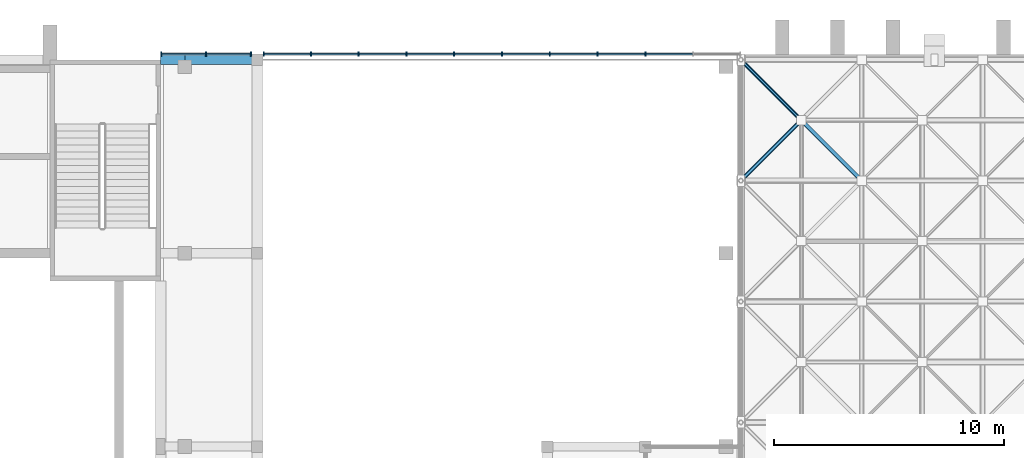
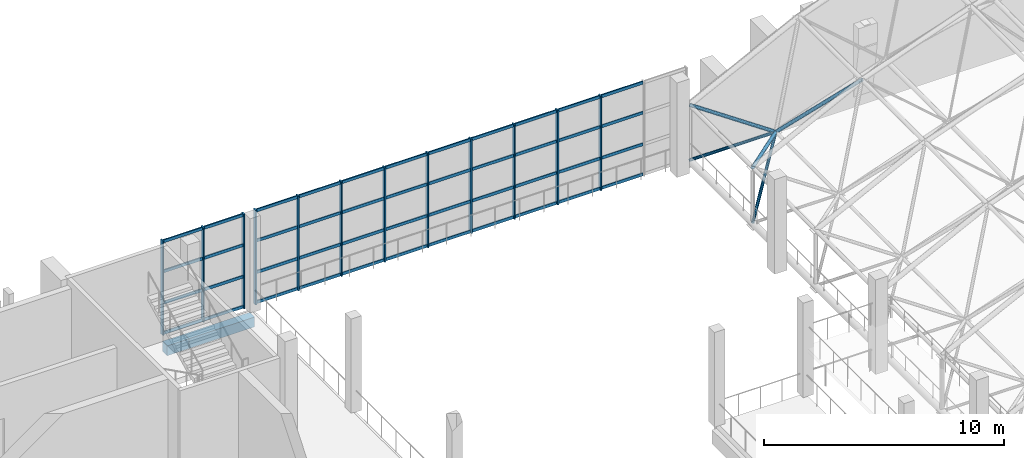
# One storey, part 27 of 100: 61 members, 2 beams, 2 elements without a shape of their own.
"""IFC4 building model written with IfcOpenShell, lengths in metres."""

from ifc_helpers import new_model, si_unit, direction, frame, origin, origin_2d, place, context, subcontext, project, spatial, rectangle, hollow_circle, extrude, material, layer, layer_set, material_profile, profile_set, type_object, element, aggregate, save


model = new_model("IFC4")

# Units and contexts
model_context = context("Model", 3, precision=1e-05, world=origin(), true_north=direction((0.0, 1.0)))
body_context = subcontext(model_context, "Body", "Model", "MODEL_VIEW")
ifc_project = project(units=[si_unit("LENGTHUNIT", "METRE"), si_unit("AREAUNIT", "SQUARE_METRE"), si_unit("VOLUMEUNIT", "CUBIC_METRE"), si_unit("PLANEANGLEUNIT", "RADIAN"), si_unit("MASSUNIT", "GRAM", prefix="KILO")], contexts=[model_context])

# Site, building, storey
site_placement = place(None, origin())
site = spatial("IfcSite", under=ifc_project, at=site_placement, CompositionType="ELEMENT")
building_placement = place(site_placement, origin())
building = spatial("IfcBuilding", under=site, at=building_placement, Name="Kiln Court Media Centre", CompositionType="ELEMENT")
storey_placement = place(building_placement, frame((0.0, 0.0, 15.0)))
storey = spatial("IfcBuildingStorey", under=building, at=storey_placement, Name="L03", CompositionType="ELEMENT", Elevation=15.0)

# Curtain wall, members
ifc_material_1 = material(Name="Aluminium 6063-T6", Category="aluminium")
ifc_layer = layer(ifc_material_1, 0.1201171875)
ifc_layer_set = layer_set([ifc_layer], Name="Aluminium stick curtain wall, foyer")
curtain_wall_type = type_object("IfcCurtainWallType", Name="Aluminium stick curtain wall, foyer", PredefinedType="USERDEFINED", material=ifc_layer_set)
curtain_wall_1_placement = place(storey_placement, origin())
curtain_wall_1 = element("IfcCurtainWall", 1, at=curtain_wall_1_placement, inside=storey, type_object=curtain_wall_type, Name="Foyer north glazing L03", ObjectType="STICK CURTAIN WALL", PredefinedType="USERDEFINED")
ifc_material_2 = material(Name="Aluminium 6063-T6", Category="aluminium")
ifc_material_profile_1 = material_profile(ifc_material_2, rectangle(XDim=0.06005859375, YDim=0.199951171875, at=origin_2d()), Name="Aluminium hall mullion 60x200")
ifc_profile_set_1 = profile_set([ifc_material_profile_1], Name="Aluminium 6063-T6")
member_type_1 = type_object("IfcMemberType", Name="Aluminium hall mullion 60x200", PredefinedType="MULLION", material=ifc_profile_set_1)
member_1_placement = place(storey_placement, frame((33.6298828125, 67.444580078125, 0.0), z_axis=(0.0, 0.0, 1.0), x_axis=(1.0, 0.0, 0.0)))
member_1 = element("IfcMember", 2, at=member_1_placement, type_object=member_type_1, Name="CW3-60 mullion 1", PredefinedType="MULLION", context=body_context, shape_type="SweptSolid", body=[
    extrude(rectangle(XDim=0.06005859375, YDim=0.199951171875, at=origin_2d()), origin(), (0.0, 0.0, 1.0), 4.800048828125),
])
member_2_placement = place(storey_placement, frame((35.574951171875, 67.444580078125, 0.0), z_axis=(0.0, 0.0, 1.0), x_axis=(1.0, 0.0, 0.0)))
member_2 = element("IfcMember", 3, at=member_2_placement, type_object=member_type_1, Name="CW3-60 mullion 2", PredefinedType="MULLION", context=body_context, shape_type="SweptSolid", body=[
    extrude(rectangle(XDim=0.06005859375, YDim=0.199951171875, at=origin_2d()), origin(), (0.0, 0.0, 1.0), 4.800048828125),
])
member_3_placement = place(storey_placement, frame((37.52001953125, 67.444580078125, 0.0), z_axis=(0.0, 0.0, 1.0), x_axis=(1.0, 0.0, 0.0)))
member_3 = element("IfcMember", 4, at=member_3_placement, type_object=member_type_1, Name="CW3-60 mullion 3", PredefinedType="MULLION", context=body_context, shape_type="SweptSolid", body=[
    extrude(rectangle(XDim=0.06005859375, YDim=0.199951171875, at=origin_2d()), origin(), (0.0, 0.0, 1.0), 4.800048828125),
])

curtain_wall_2_placement = place(storey_placement, origin())
curtain_wall_2 = element("IfcCurtainWall", 5, at=curtain_wall_2_placement, inside=storey, type_object=curtain_wall_type, Name="Foyer north glazing L03", ObjectType="STICK CURTAIN WALL", PredefinedType="USERDEFINED")
member_4_placement = place(storey_placement, frame((38.080078125, 67.444580078125, 0.0), z_axis=(0.0, 0.0, 1.0), x_axis=(1.0, 0.0, 0.0)))
member_4 = element("IfcMember", 6, at=member_4_placement, type_object=member_type_1, Name="CW3-61 mullion 1", PredefinedType="MULLION", context=body_context, shape_type="SweptSolid", body=[
    extrude(rectangle(XDim=0.06005859375, YDim=0.199951171875, at=origin_2d()), origin(), (0.0, 0.0, 1.0), 4.800048828125),
])
member_5_placement = place(storey_placement, frame((40.125, 67.444580078125, 0.0), z_axis=(0.0, 0.0, 1.0), x_axis=(1.0, 0.0, 0.0)))
member_5 = element("IfcMember", 7, at=member_5_placement, type_object=member_type_1, Name="CW3-61 mullion 2", PredefinedType="MULLION", context=body_context, shape_type="SweptSolid", body=[
    extrude(rectangle(XDim=0.06005859375, YDim=0.199951171875, at=origin_2d()), origin(), (0.0, 0.0, 1.0), 4.800048828125),
])
member_6_placement = place(storey_placement, frame((42.199951171875, 67.444580078125, 0.0), z_axis=(0.0, 0.0, 1.0), x_axis=(1.0, 0.0, 0.0)))
member_6 = element("IfcMember", 8, at=member_6_placement, type_object=member_type_1, Name="CW3-61 mullion 3", PredefinedType="MULLION", context=body_context, shape_type="SweptSolid", body=[
    extrude(rectangle(XDim=0.06005859375, YDim=0.199951171875, at=origin_2d()), origin(), (0.0, 0.0, 1.0), 4.800048828125),
])
member_7_placement = place(storey_placement, frame((44.27490234375, 67.444580078125, 0.0), z_axis=(0.0, 0.0, 1.0), x_axis=(1.0, 0.0, 0.0)))
member_7 = element("IfcMember", 9, at=member_7_placement, type_object=member_type_1, Name="CW3-61 mullion 4", PredefinedType="MULLION", context=body_context, shape_type="SweptSolid", body=[
    extrude(rectangle(XDim=0.06005859375, YDim=0.199951171875, at=origin_2d()), origin(), (0.0, 0.0, 1.0), 4.800048828125),
])
member_8_placement = place(storey_placement, frame((46.35009765625, 67.444580078125, 0.0), z_axis=(0.0, 0.0, 1.0), x_axis=(1.0, 0.0, 0.0)))
member_8 = element("IfcMember", 10, at=member_8_placement, type_object=member_type_1, Name="CW3-61 mullion 5", PredefinedType="MULLION", context=body_context, shape_type="SweptSolid", body=[
    extrude(rectangle(XDim=0.06005859375, YDim=0.199951171875, at=origin_2d()), origin(), (0.0, 0.0, 1.0), 4.800048828125),
])
member_9_placement = place(storey_placement, frame((48.425048828125, 67.444580078125, 0.0), z_axis=(0.0, 0.0, 1.0), x_axis=(1.0, 0.0, 0.0)))
member_9 = element("IfcMember", 11, at=member_9_placement, type_object=member_type_1, Name="CW3-61 mullion 6", PredefinedType="MULLION", context=body_context, shape_type="SweptSolid", body=[
    extrude(rectangle(XDim=0.06005859375, YDim=0.199951171875, at=origin_2d()), origin(), (0.0, 0.0, 1.0), 4.800048828125),
])
member_10_placement = place(storey_placement, frame((50.5, 67.444580078125, 0.0), z_axis=(0.0, 0.0, 1.0), x_axis=(1.0, 0.0, 0.0)))
member_10 = element("IfcMember", 12, at=member_10_placement, type_object=member_type_1, Name="CW3-61 mullion 7", PredefinedType="MULLION", context=body_context, shape_type="SweptSolid", body=[
    extrude(rectangle(XDim=0.06005859375, YDim=0.199951171875, at=origin_2d()), origin(), (0.0, 0.0, 1.0), 4.800048828125),
])
member_11_placement = place(storey_placement, frame((52.574951171875, 67.444580078125, 0.0), z_axis=(0.0, 0.0, 1.0), x_axis=(1.0, 0.0, 0.0)))
member_11 = element("IfcMember", 13, at=member_11_placement, type_object=member_type_1, Name="CW3-61 mullion 8", PredefinedType="MULLION", context=body_context, shape_type="SweptSolid", body=[
    extrude(rectangle(XDim=0.06005859375, YDim=0.199951171875, at=origin_2d()), origin(), (0.0, 0.0, 1.0), 4.800048828125),
])
member_12_placement = place(storey_placement, frame((54.64990234375, 67.444580078125, 0.0), z_axis=(0.0, 0.0, 1.0), x_axis=(1.0, 0.0, 0.0)))
member_12 = element("IfcMember", 14, at=member_12_placement, type_object=member_type_1, Name="CW3-61 mullion 9", PredefinedType="MULLION", context=body_context, shape_type="SweptSolid", body=[
    extrude(rectangle(XDim=0.06005859375, YDim=0.199951171875, at=origin_2d()), origin(), (0.0, 0.0, 1.0), 4.800048828125),
])

# Member
ifc_material_3 = material(Name="Aluminium 6063-T6", Category="aluminium")
ifc_material_profile_2 = material_profile(ifc_material_3, rectangle(XDim=0.06005859375, YDim=0.14990234375, at=origin_2d()), Name="Aluminium hall transom 60x150")
ifc_profile_set_2 = profile_set([ifc_material_profile_2], Name="Aluminium 6063-T6")
member_type_2 = type_object("IfcMemberType", Name="Aluminium hall transom 60x150", PredefinedType="USERDEFINED", material=ifc_profile_set_2)
member_13_placement = place(storey_placement, frame((33.659912109375, 67.444580078125, 0.074951171875), z_axis=(1.0, 0.0, 0.0), x_axis=(0.0, 1.0, 0.0)))
member_13 = element("IfcMember", 15, at=member_13_placement, type_object=member_type_2, Name="CW3-60 transom 1.1", ObjectType="TRANSOM", PredefinedType="USERDEFINED", context=body_context, shape_type="SweptSolid", body=[
    extrude(rectangle(XDim=0.06005859375, YDim=0.14990234375, at=origin_2d()), origin(), (0.0, 0.0, 1.0), 1.885009765625),
])

member_14_placement = place(storey_placement, frame((33.659912109375, 67.444580078125, 1.60009765625), z_axis=(1.0, 0.0, 0.0), x_axis=(0.0, 1.0, 0.0)))
member_14 = element("IfcMember", 16, at=member_14_placement, type_object=member_type_2, Name="CW3-60 transom 1.2", ObjectType="TRANSOM", PredefinedType="USERDEFINED", context=body_context, shape_type="SweptSolid", body=[
    extrude(rectangle(XDim=0.06005859375, YDim=0.14990234375, at=origin_2d()), origin(), (0.0, 0.0, 1.0), 1.885009765625),
])

member_15_placement = place(storey_placement, frame((33.659912109375, 67.444580078125, 3.199951171875), z_axis=(1.0, 0.0, 0.0), x_axis=(0.0, 1.0, 0.0)))
member_15 = element("IfcMember", 17, at=member_15_placement, type_object=member_type_2, Name="CW3-60 transom 1.3", ObjectType="TRANSOM", PredefinedType="USERDEFINED", context=body_context, shape_type="SweptSolid", body=[
    extrude(rectangle(XDim=0.06005859375, YDim=0.14990234375, at=origin_2d()), origin(), (0.0, 0.0, 1.0), 1.885009765625),
])

member_16_placement = place(storey_placement, frame((33.659912109375, 67.444580078125, 4.72509765625), z_axis=(1.0, 0.0, 0.0), x_axis=(0.0, 1.0, 0.0)))
member_16 = element("IfcMember", 18, at=member_16_placement, type_object=member_type_2, Name="CW3-60 transom 1.4", ObjectType="TRANSOM", PredefinedType="USERDEFINED", context=body_context, shape_type="SweptSolid", body=[
    extrude(rectangle(XDim=0.06005859375, YDim=0.14990234375, at=origin_2d()), origin(), (0.0, 0.0, 1.0), 1.885009765625),
])

member_17_placement = place(storey_placement, frame((35.60498046875, 67.444580078125, 0.074951171875), z_axis=(1.0, 0.0, 0.0), x_axis=(0.0, 1.0, 0.0)))
member_17 = element("IfcMember", 19, at=member_17_placement, type_object=member_type_2, Name="CW3-60 transom 2.1", ObjectType="TRANSOM", PredefinedType="USERDEFINED", context=body_context, shape_type="SweptSolid", body=[
    extrude(rectangle(XDim=0.06005859375, YDim=0.14990234375, at=origin_2d()), origin(), (0.0, 0.0, 1.0), 1.885009765625),
])

member_18_placement = place(storey_placement, frame((35.60498046875, 67.444580078125, 1.60009765625), z_axis=(1.0, 0.0, 0.0), x_axis=(0.0, 1.0, 0.0)))
member_18 = element("IfcMember", 20, at=member_18_placement, type_object=member_type_2, Name="CW3-60 transom 2.2", ObjectType="TRANSOM", PredefinedType="USERDEFINED", context=body_context, shape_type="SweptSolid", body=[
    extrude(rectangle(XDim=0.06005859375, YDim=0.14990234375, at=origin_2d()), origin(), (0.0, 0.0, 1.0), 1.885009765625),
])

member_19_placement = place(storey_placement, frame((35.60498046875, 67.444580078125, 3.199951171875), z_axis=(1.0, 0.0, 0.0), x_axis=(0.0, 1.0, 0.0)))
member_19 = element("IfcMember", 21, at=member_19_placement, type_object=member_type_2, Name="CW3-60 transom 2.3", ObjectType="TRANSOM", PredefinedType="USERDEFINED", context=body_context, shape_type="SweptSolid", body=[
    extrude(rectangle(XDim=0.06005859375, YDim=0.14990234375, at=origin_2d()), origin(), (0.0, 0.0, 1.0), 1.885009765625),
])

member_20_placement = place(storey_placement, frame((35.60498046875, 67.444580078125, 4.72509765625), z_axis=(1.0, 0.0, 0.0), x_axis=(0.0, 1.0, 0.0)))
member_20 = element("IfcMember", 22, at=member_20_placement, type_object=member_type_2, Name="CW3-60 transom 2.4", ObjectType="TRANSOM", PredefinedType="USERDEFINED", context=body_context, shape_type="SweptSolid", body=[
    extrude(rectangle(XDim=0.06005859375, YDim=0.14990234375, at=origin_2d()), origin(), (0.0, 0.0, 1.0), 1.885009765625),
])

aggregate(curtain_wall_1, [member_1, member_2, member_3, member_13, member_14, member_15, member_16, member_17, member_18, member_19, member_20])

member_21_placement = place(storey_placement, frame((38.110107421875, 67.444580078125, 0.074951171875), z_axis=(1.0, 0.0, 0.0), x_axis=(0.0, 1.0, 0.0)))
member_21 = element("IfcMember", 23, at=member_21_placement, type_object=member_type_2, Name="CW3-61 transom 1.1", ObjectType="TRANSOM", PredefinedType="USERDEFINED", context=body_context, shape_type="SweptSolid", body=[
    extrude(rectangle(XDim=0.06005859375, YDim=0.14990234375, at=origin_2d()), origin(), (0.0, 0.0, 1.0), 1.98486328125),
])

member_22_placement = place(storey_placement, frame((38.110107421875, 67.444580078125, 1.60009765625), z_axis=(1.0, 0.0, 0.0), x_axis=(0.0, 1.0, 0.0)))
member_22 = element("IfcMember", 24, at=member_22_placement, type_object=member_type_2, Name="CW3-61 transom 1.2", ObjectType="TRANSOM", PredefinedType="USERDEFINED", context=body_context, shape_type="SweptSolid", body=[
    extrude(rectangle(XDim=0.06005859375, YDim=0.14990234375, at=origin_2d()), origin(), (0.0, 0.0, 1.0), 1.98486328125),
])

member_23_placement = place(storey_placement, frame((38.110107421875, 67.444580078125, 3.199951171875), z_axis=(1.0, 0.0, 0.0), x_axis=(0.0, 1.0, 0.0)))
member_23 = element("IfcMember", 25, at=member_23_placement, type_object=member_type_2, Name="CW3-61 transom 1.3", ObjectType="TRANSOM", PredefinedType="USERDEFINED", context=body_context, shape_type="SweptSolid", body=[
    extrude(rectangle(XDim=0.06005859375, YDim=0.14990234375, at=origin_2d()), origin(), (0.0, 0.0, 1.0), 1.98486328125),
])

member_24_placement = place(storey_placement, frame((38.110107421875, 67.444580078125, 4.72509765625), z_axis=(1.0, 0.0, 0.0), x_axis=(0.0, 1.0, 0.0)))
member_24 = element("IfcMember", 26, at=member_24_placement, type_object=member_type_2, Name="CW3-61 transom 1.4", ObjectType="TRANSOM", PredefinedType="USERDEFINED", context=body_context, shape_type="SweptSolid", body=[
    extrude(rectangle(XDim=0.06005859375, YDim=0.14990234375, at=origin_2d()), origin(), (0.0, 0.0, 1.0), 1.98486328125),
])

member_25_placement = place(storey_placement, frame((40.155029296875, 67.444580078125, 0.074951171875), z_axis=(1.0, 0.0, 0.0), x_axis=(0.0, 1.0, 0.0)))
member_25 = element("IfcMember", 27, at=member_25_placement, type_object=member_type_2, Name="CW3-61 transom 2.1", ObjectType="TRANSOM", PredefinedType="USERDEFINED", context=body_context, shape_type="SweptSolid", body=[
    extrude(rectangle(XDim=0.06005859375, YDim=0.14990234375, at=origin_2d()), origin(), (0.0, 0.0, 1.0), 2.014892578125),
])

member_26_placement = place(storey_placement, frame((40.155029296875, 67.444580078125, 1.60009765625), z_axis=(1.0, 0.0, 0.0), x_axis=(0.0, 1.0, 0.0)))
member_26 = element("IfcMember", 28, at=member_26_placement, type_object=member_type_2, Name="CW3-61 transom 2.2", ObjectType="TRANSOM", PredefinedType="USERDEFINED", context=body_context, shape_type="SweptSolid", body=[
    extrude(rectangle(XDim=0.06005859375, YDim=0.14990234375, at=origin_2d()), origin(), (0.0, 0.0, 1.0), 2.014892578125),
])

member_27_placement = place(storey_placement, frame((40.155029296875, 67.444580078125, 3.199951171875), z_axis=(1.0, 0.0, 0.0), x_axis=(0.0, 1.0, 0.0)))
member_27 = element("IfcMember", 29, at=member_27_placement, type_object=member_type_2, Name="CW3-61 transom 2.3", ObjectType="TRANSOM", PredefinedType="USERDEFINED", context=body_context, shape_type="SweptSolid", body=[
    extrude(rectangle(XDim=0.06005859375, YDim=0.14990234375, at=origin_2d()), origin(), (0.0, 0.0, 1.0), 2.014892578125),
])

member_28_placement = place(storey_placement, frame((40.155029296875, 67.444580078125, 4.72509765625), z_axis=(1.0, 0.0, 0.0), x_axis=(0.0, 1.0, 0.0)))
member_28 = element("IfcMember", 30, at=member_28_placement, type_object=member_type_2, Name="CW3-61 transom 2.4", ObjectType="TRANSOM", PredefinedType="USERDEFINED", context=body_context, shape_type="SweptSolid", body=[
    extrude(rectangle(XDim=0.06005859375, YDim=0.14990234375, at=origin_2d()), origin(), (0.0, 0.0, 1.0), 2.014892578125),
])

member_29_placement = place(storey_placement, frame((42.22998046875, 67.444580078125, 0.074951171875), z_axis=(1.0, 0.0, 0.0), x_axis=(0.0, 1.0, 0.0)))
member_29 = element("IfcMember", 31, at=member_29_placement, type_object=member_type_2, Name="CW3-61 transom 3.1", ObjectType="TRANSOM", PredefinedType="USERDEFINED", context=body_context, shape_type="SweptSolid", body=[
    extrude(rectangle(XDim=0.06005859375, YDim=0.14990234375, at=origin_2d()), origin(), (0.0, 0.0, 1.0), 2.01513671875),
])

member_30_placement = place(storey_placement, frame((42.22998046875, 67.444580078125, 1.60009765625), z_axis=(1.0, 0.0, 0.0), x_axis=(0.0, 1.0, 0.0)))
member_30 = element("IfcMember", 32, at=member_30_placement, type_object=member_type_2, Name="CW3-61 transom 3.2", ObjectType="TRANSOM", PredefinedType="USERDEFINED", context=body_context, shape_type="SweptSolid", body=[
    extrude(rectangle(XDim=0.06005859375, YDim=0.14990234375, at=origin_2d()), origin(), (0.0, 0.0, 1.0), 2.01513671875),
])

member_31_placement = place(storey_placement, frame((42.22998046875, 67.444580078125, 3.199951171875), z_axis=(1.0, 0.0, 0.0), x_axis=(0.0, 1.0, 0.0)))
member_31 = element("IfcMember", 33, at=member_31_placement, type_object=member_type_2, Name="CW3-61 transom 3.3", ObjectType="TRANSOM", PredefinedType="USERDEFINED", context=body_context, shape_type="SweptSolid", body=[
    extrude(rectangle(XDim=0.06005859375, YDim=0.14990234375, at=origin_2d()), origin(), (0.0, 0.0, 1.0), 2.01513671875),
])

member_32_placement = place(storey_placement, frame((42.22998046875, 67.444580078125, 4.72509765625), z_axis=(1.0, 0.0, 0.0), x_axis=(0.0, 1.0, 0.0)))
member_32 = element("IfcMember", 34, at=member_32_placement, type_object=member_type_2, Name="CW3-61 transom 3.4", ObjectType="TRANSOM", PredefinedType="USERDEFINED", context=body_context, shape_type="SweptSolid", body=[
    extrude(rectangle(XDim=0.06005859375, YDim=0.14990234375, at=origin_2d()), origin(), (0.0, 0.0, 1.0), 2.01513671875),
])

member_33_placement = place(storey_placement, frame((44.304931640625, 67.444580078125, 0.074951171875), z_axis=(1.0, 0.0, 0.0), x_axis=(0.0, 1.0, 0.0)))
member_33 = element("IfcMember", 35, at=member_33_placement, type_object=member_type_2, Name="CW3-61 transom 4.1", ObjectType="TRANSOM", PredefinedType="USERDEFINED", context=body_context, shape_type="SweptSolid", body=[
    extrude(rectangle(XDim=0.06005859375, YDim=0.14990234375, at=origin_2d()), origin(), (0.0, 0.0, 1.0), 2.01513671875),
])

member_34_placement = place(storey_placement, frame((44.304931640625, 67.444580078125, 1.60009765625), z_axis=(1.0, 0.0, 0.0), x_axis=(0.0, 1.0, 0.0)))
member_34 = element("IfcMember", 36, at=member_34_placement, type_object=member_type_2, Name="CW3-61 transom 4.2", ObjectType="TRANSOM", PredefinedType="USERDEFINED", context=body_context, shape_type="SweptSolid", body=[
    extrude(rectangle(XDim=0.06005859375, YDim=0.14990234375, at=origin_2d()), origin(), (0.0, 0.0, 1.0), 2.01513671875),
])

member_35_placement = place(storey_placement, frame((44.304931640625, 67.444580078125, 3.199951171875), z_axis=(1.0, 0.0, 0.0), x_axis=(0.0, 1.0, 0.0)))
member_35 = element("IfcMember", 37, at=member_35_placement, type_object=member_type_2, Name="CW3-61 transom 4.3", ObjectType="TRANSOM", PredefinedType="USERDEFINED", context=body_context, shape_type="SweptSolid", body=[
    extrude(rectangle(XDim=0.06005859375, YDim=0.14990234375, at=origin_2d()), origin(), (0.0, 0.0, 1.0), 2.01513671875),
])

member_36_placement = place(storey_placement, frame((44.304931640625, 67.444580078125, 4.72509765625), z_axis=(1.0, 0.0, 0.0), x_axis=(0.0, 1.0, 0.0)))
member_36 = element("IfcMember", 38, at=member_36_placement, type_object=member_type_2, Name="CW3-61 transom 4.4", ObjectType="TRANSOM", PredefinedType="USERDEFINED", context=body_context, shape_type="SweptSolid", body=[
    extrude(rectangle(XDim=0.06005859375, YDim=0.14990234375, at=origin_2d()), origin(), (0.0, 0.0, 1.0), 2.01513671875),
])

member_37_placement = place(storey_placement, frame((46.3798828125, 67.444580078125, 0.074951171875), z_axis=(1.0, 0.0, 0.0), x_axis=(0.0, 1.0, 0.0)))
member_37 = element("IfcMember", 39, at=member_37_placement, type_object=member_type_2, Name="CW3-61 transom 5.1", ObjectType="TRANSOM", PredefinedType="USERDEFINED", context=body_context, shape_type="SweptSolid", body=[
    extrude(rectangle(XDim=0.06005859375, YDim=0.14990234375, at=origin_2d()), origin(), (0.0, 0.0, 1.0), 2.01513671875),
])

member_38_placement = place(storey_placement, frame((46.3798828125, 67.444580078125, 1.60009765625), z_axis=(1.0, 0.0, 0.0), x_axis=(0.0, 1.0, 0.0)))
member_38 = element("IfcMember", 40, at=member_38_placement, type_object=member_type_2, Name="CW3-61 transom 5.2", ObjectType="TRANSOM", PredefinedType="USERDEFINED", context=body_context, shape_type="SweptSolid", body=[
    extrude(rectangle(XDim=0.06005859375, YDim=0.14990234375, at=origin_2d()), origin(), (0.0, 0.0, 1.0), 2.01513671875),
])

member_39_placement = place(storey_placement, frame((46.3798828125, 67.444580078125, 3.199951171875), z_axis=(1.0, 0.0, 0.0), x_axis=(0.0, 1.0, 0.0)))
member_39 = element("IfcMember", 41, at=member_39_placement, type_object=member_type_2, Name="CW3-61 transom 5.3", ObjectType="TRANSOM", PredefinedType="USERDEFINED", context=body_context, shape_type="SweptSolid", body=[
    extrude(rectangle(XDim=0.06005859375, YDim=0.14990234375, at=origin_2d()), origin(), (0.0, 0.0, 1.0), 2.01513671875),
])

member_40_placement = place(storey_placement, frame((46.3798828125, 67.444580078125, 4.72509765625), z_axis=(1.0, 0.0, 0.0), x_axis=(0.0, 1.0, 0.0)))
member_40 = element("IfcMember", 42, at=member_40_placement, type_object=member_type_2, Name="CW3-61 transom 5.4", ObjectType="TRANSOM", PredefinedType="USERDEFINED", context=body_context, shape_type="SweptSolid", body=[
    extrude(rectangle(XDim=0.06005859375, YDim=0.14990234375, at=origin_2d()), origin(), (0.0, 0.0, 1.0), 2.01513671875),
])

member_41_placement = place(storey_placement, frame((48.455078125, 67.444580078125, 0.074951171875), z_axis=(1.0, 0.0, 0.0), x_axis=(0.0, 1.0, 0.0)))
member_41 = element("IfcMember", 43, at=member_41_placement, type_object=member_type_2, Name="CW3-61 transom 6.1", ObjectType="TRANSOM", PredefinedType="USERDEFINED", context=body_context, shape_type="SweptSolid", body=[
    extrude(rectangle(XDim=0.06005859375, YDim=0.14990234375, at=origin_2d()), origin(), (0.0, 0.0, 1.0), 2.014892578125),
])

member_42_placement = place(storey_placement, frame((48.455078125, 67.444580078125, 1.60009765625), z_axis=(1.0, 0.0, 0.0), x_axis=(0.0, 1.0, 0.0)))
member_42 = element("IfcMember", 44, at=member_42_placement, type_object=member_type_2, Name="CW3-61 transom 6.2", ObjectType="TRANSOM", PredefinedType="USERDEFINED", context=body_context, shape_type="SweptSolid", body=[
    extrude(rectangle(XDim=0.06005859375, YDim=0.14990234375, at=origin_2d()), origin(), (0.0, 0.0, 1.0), 2.014892578125),
])

member_43_placement = place(storey_placement, frame((48.455078125, 67.444580078125, 3.199951171875), z_axis=(1.0, 0.0, 0.0), x_axis=(0.0, 1.0, 0.0)))
member_43 = element("IfcMember", 45, at=member_43_placement, type_object=member_type_2, Name="CW3-61 transom 6.3", ObjectType="TRANSOM", PredefinedType="USERDEFINED", context=body_context, shape_type="SweptSolid", body=[
    extrude(rectangle(XDim=0.06005859375, YDim=0.14990234375, at=origin_2d()), origin(), (0.0, 0.0, 1.0), 2.014892578125),
])

member_44_placement = place(storey_placement, frame((48.455078125, 67.444580078125, 4.72509765625), z_axis=(1.0, 0.0, 0.0), x_axis=(0.0, 1.0, 0.0)))
member_44 = element("IfcMember", 46, at=member_44_placement, type_object=member_type_2, Name="CW3-61 transom 6.4", ObjectType="TRANSOM", PredefinedType="USERDEFINED", context=body_context, shape_type="SweptSolid", body=[
    extrude(rectangle(XDim=0.06005859375, YDim=0.14990234375, at=origin_2d()), origin(), (0.0, 0.0, 1.0), 2.014892578125),
])

member_45_placement = place(storey_placement, frame((50.530029296875, 67.444580078125, 0.074951171875), z_axis=(1.0, 0.0, 0.0), x_axis=(0.0, 1.0, 0.0)))
member_45 = element("IfcMember", 47, at=member_45_placement, type_object=member_type_2, Name="CW3-61 transom 7.1", ObjectType="TRANSOM", PredefinedType="USERDEFINED", context=body_context, shape_type="SweptSolid", body=[
    extrude(rectangle(XDim=0.06005859375, YDim=0.14990234375, at=origin_2d()), origin(), (0.0, 0.0, 1.0), 2.014892578125),
])

member_46_placement = place(storey_placement, frame((50.530029296875, 67.444580078125, 1.60009765625), z_axis=(1.0, 0.0, 0.0), x_axis=(0.0, 1.0, 0.0)))
member_46 = element("IfcMember", 48, at=member_46_placement, type_object=member_type_2, Name="CW3-61 transom 7.2", ObjectType="TRANSOM", PredefinedType="USERDEFINED", context=body_context, shape_type="SweptSolid", body=[
    extrude(rectangle(XDim=0.06005859375, YDim=0.14990234375, at=origin_2d()), origin(), (0.0, 0.0, 1.0), 2.014892578125),
])

member_47_placement = place(storey_placement, frame((50.530029296875, 67.444580078125, 3.199951171875), z_axis=(1.0, 0.0, 0.0), x_axis=(0.0, 1.0, 0.0)))
member_47 = element("IfcMember", 49, at=member_47_placement, type_object=member_type_2, Name="CW3-61 transom 7.3", ObjectType="TRANSOM", PredefinedType="USERDEFINED", context=body_context, shape_type="SweptSolid", body=[
    extrude(rectangle(XDim=0.06005859375, YDim=0.14990234375, at=origin_2d()), origin(), (0.0, 0.0, 1.0), 2.014892578125),
])

member_48_placement = place(storey_placement, frame((50.530029296875, 67.444580078125, 4.72509765625), z_axis=(1.0, 0.0, 0.0), x_axis=(0.0, 1.0, 0.0)))
member_48 = element("IfcMember", 50, at=member_48_placement, type_object=member_type_2, Name="CW3-61 transom 7.4", ObjectType="TRANSOM", PredefinedType="USERDEFINED", context=body_context, shape_type="SweptSolid", body=[
    extrude(rectangle(XDim=0.06005859375, YDim=0.14990234375, at=origin_2d()), origin(), (0.0, 0.0, 1.0), 2.014892578125),
])

member_49_placement = place(storey_placement, frame((52.60498046875, 67.444580078125, 0.074951171875), z_axis=(1.0, 0.0, 0.0), x_axis=(0.0, 1.0, 0.0)))
member_49 = element("IfcMember", 51, at=member_49_placement, type_object=member_type_2, Name="CW3-61 transom 8.1", ObjectType="TRANSOM", PredefinedType="USERDEFINED", context=body_context, shape_type="SweptSolid", body=[
    extrude(rectangle(XDim=0.06005859375, YDim=0.14990234375, at=origin_2d()), origin(), (0.0, 0.0, 1.0), 2.01513671875),
])

member_50_placement = place(storey_placement, frame((52.60498046875, 67.444580078125, 1.60009765625), z_axis=(1.0, 0.0, 0.0), x_axis=(0.0, 1.0, 0.0)))
member_50 = element("IfcMember", 52, at=member_50_placement, type_object=member_type_2, Name="CW3-61 transom 8.2", ObjectType="TRANSOM", PredefinedType="USERDEFINED", context=body_context, shape_type="SweptSolid", body=[
    extrude(rectangle(XDim=0.06005859375, YDim=0.14990234375, at=origin_2d()), origin(), (0.0, 0.0, 1.0), 2.01513671875),
])

member_51_placement = place(storey_placement, frame((52.60498046875, 67.444580078125, 3.199951171875), z_axis=(1.0, 0.0, 0.0), x_axis=(0.0, 1.0, 0.0)))
member_51 = element("IfcMember", 53, at=member_51_placement, type_object=member_type_2, Name="CW3-61 transom 8.3", ObjectType="TRANSOM", PredefinedType="USERDEFINED", context=body_context, shape_type="SweptSolid", body=[
    extrude(rectangle(XDim=0.06005859375, YDim=0.14990234375, at=origin_2d()), origin(), (0.0, 0.0, 1.0), 2.01513671875),
])

member_52_placement = place(storey_placement, frame((52.60498046875, 67.444580078125, 4.72509765625), z_axis=(1.0, 0.0, 0.0), x_axis=(0.0, 1.0, 0.0)))
member_52 = element("IfcMember", 54, at=member_52_placement, type_object=member_type_2, Name="CW3-61 transom 8.4", ObjectType="TRANSOM", PredefinedType="USERDEFINED", context=body_context, shape_type="SweptSolid", body=[
    extrude(rectangle(XDim=0.06005859375, YDim=0.14990234375, at=origin_2d()), origin(), (0.0, 0.0, 1.0), 2.01513671875),
])

member_53_placement = place(storey_placement, frame((54.679931640625, 67.444580078125, 0.074951171875), z_axis=(1.0, 0.0, 0.0), x_axis=(0.0, 1.0, 0.0)))
member_53 = element("IfcMember", 55, at=member_53_placement, type_object=member_type_2, Name="CW3-61 transom 9.1", ObjectType="TRANSOM", PredefinedType="USERDEFINED", context=body_context, shape_type="SweptSolid", body=[
    extrude(rectangle(XDim=0.06005859375, YDim=0.14990234375, at=origin_2d()), origin(), (0.0, 0.0, 1.0), 2.01513671875),
])

member_54_placement = place(storey_placement, frame((54.679931640625, 67.444580078125, 1.60009765625), z_axis=(1.0, 0.0, 0.0), x_axis=(0.0, 1.0, 0.0)))
member_54 = element("IfcMember", 56, at=member_54_placement, type_object=member_type_2, Name="CW3-61 transom 9.2", ObjectType="TRANSOM", PredefinedType="USERDEFINED", context=body_context, shape_type="SweptSolid", body=[
    extrude(rectangle(XDim=0.06005859375, YDim=0.14990234375, at=origin_2d()), origin(), (0.0, 0.0, 1.0), 2.01513671875),
])

member_55_placement = place(storey_placement, frame((54.679931640625, 67.444580078125, 3.199951171875), z_axis=(1.0, 0.0, 0.0), x_axis=(0.0, 1.0, 0.0)))
member_55 = element("IfcMember", 57, at=member_55_placement, type_object=member_type_2, Name="CW3-61 transom 9.3", ObjectType="TRANSOM", PredefinedType="USERDEFINED", context=body_context, shape_type="SweptSolid", body=[
    extrude(rectangle(XDim=0.06005859375, YDim=0.14990234375, at=origin_2d()), origin(), (0.0, 0.0, 1.0), 2.01513671875),
])

member_56_placement = place(storey_placement, frame((54.679931640625, 67.444580078125, 4.72509765625), z_axis=(1.0, 0.0, 0.0), x_axis=(0.0, 1.0, 0.0)))
member_56 = element("IfcMember", 58, at=member_56_placement, type_object=member_type_2, Name="CW3-61 transom 9.4", ObjectType="TRANSOM", PredefinedType="USERDEFINED", context=body_context, shape_type="SweptSolid", body=[
    extrude(rectangle(XDim=0.06005859375, YDim=0.14990234375, at=origin_2d()), origin(), (0.0, 0.0, 1.0), 2.01513671875),
])

aggregate(curtain_wall_2, [member_4, member_5, member_6, member_7, member_8, member_9, member_10, member_11, member_12, member_21, member_22, member_23, member_24, member_25, member_26, member_27, member_28, member_29, member_30, member_31, member_32, member_33, member_34, member_35, member_36, member_37, member_38, member_39, member_40, member_41, member_42, member_43, member_44, member_45, member_46, member_47, member_48, member_49, member_50, member_51, member_52, member_53, member_54, member_55, member_56])

# Beams
ifc_material_4 = material(Name="Concrete C30/37", Category="concrete")
ifc_material_profile_3 = material_profile(ifc_material_4, rectangle(XDim=0.39990234375, YDim=0.5, at=origin_2d()), Name="RC 400x500")
ifc_profile_set_3 = profile_set([ifc_material_profile_3], Name="Concrete C30/37")
beam_type = type_object("IfcBeamType", Name="Concrete C30/37 beam 400x500", PredefinedType="BEAM", material=ifc_profile_set_3)
beam_1_placement = place(storey_placement, frame((33.60009765625, 67.199951171875, -0.550048828125), z_axis=(1.0, 0.0, 0.0), x_axis=(0.0, 1.0, 0.0)))
element("IfcBeam", 59, at=beam_1_placement, inside=storey, type_object=beam_type, Name="L03-B-1088", PredefinedType="BEAM", context=body_context, shape_type="SweptSolid", body=[
    extrude(rectangle(XDim=0.39990234375, YDim=0.5, at=origin_2d()), origin(), (0.0, 0.0, 1.0), 1.0498046875),
])
beam_2_placement = place(storey_placement, frame((34.64990234375, 67.199951171875, -0.550048828125), z_axis=(1.0, 0.0, 0.0), x_axis=(0.0, 1.0, 0.0)))
element("IfcBeam", 60, at=beam_2_placement, inside=storey, type_object=beam_type, Name="L03-B-1089", PredefinedType="BEAM", context=body_context, shape_type="SweptSolid", body=[
    extrude(rectangle(XDim=0.39990234375, YDim=0.5, at=origin_2d()), origin(), (0.0, 0.0, 1.0), 3.150146484375),
])

# Members
ifc_material_5 = material(Name="Steel ASTM A500 Gr C", Category="steel")
ifc_material_profile_4 = material_profile(ifc_material_5, hollow_circle(Radius=0.06982421875, WallThickness=0.0048828125, at=origin_2d()), Name="CHS 139.7x5.0")
ifc_profile_set_4 = profile_set([ifc_material_profile_4], Name="Steel ASTM A500 Gr C")
member_type_3 = type_object("IfcMemberType", Name="Steel ASTM A500 Gr C CHS 139.7x5.0 space frame brace", PredefinedType="BRACE", material=ifc_profile_set_4)
for number, where, z_axis, x_axis, name in (
    (61, (58.800048828125, 61.949951171875, 0.18994140625), (0.614895163376, 0.614895163376, 0.493769051394), (-0.707106781187, 0.707106781187, 0.0), "V1 roof bearing tie first 8 space frame brace"),
    (62, (58.800048828125, 67.199951171875, 0.18994140625), (0.614895163376, -0.614895163376, 0.493769051394), (0.707106781187, 0.707106781187, 0.0), "V1 roof bearing tie first 9 space frame brace"),
):
    element("IfcMember", number, at=place(storey_placement, frame(where, z_axis=z_axis, x_axis=x_axis)), inside=storey, type_object=member_type_3, Name=name, PredefinedType="BRACE", context=body_context, shape_type="SweptSolid", body=[
        extrude(hollow_circle(Radius=0.06982421875, WallThickness=0.0048828125, at=origin_2d()), origin(), (0.0, 0.0, 1.0), 4.26904296875),
    ])
ifc_material_6 = material(Name="Steel ASTM A500 Gr C", Category="steel")
ifc_material_profile_5 = material_profile(ifc_material_6, hollow_circle(Radius=0.084228515625, WallThickness=0.00634765625, at=origin_2d()), Name="CHS 168.3x6.3")
ifc_profile_set_5 = profile_set([ifc_material_profile_5], Name="Steel ASTM A500 Gr C")
member_type_4 = type_object("IfcMemberType", Name="Steel ASTM A500 Gr C CHS 168.3x6.3 space frame brace", PredefinedType="BRACE", material=ifc_profile_set_5)
member_57_placement = place(storey_placement, frame((61.425048828125, 64.574951171875, 2.2978515625), z_axis=(-0.694788256549, -0.694788256549, 0.185845519516), x_axis=(0.707106781187, -0.707106781187, 0.0)))
element("IfcMember", 63, at=member_57_placement, inside=storey, type_object=member_type_4, Name="V1 roof diagonal 1-8 space frame brace", PredefinedType="BRACE", context=body_context, shape_type="SweptSolid", body=[
    extrude(hollow_circle(Radius=0.084228515625, WallThickness=0.00634765625, at=origin_2d()), origin(), (0.0, 0.0, 1.0), 3.778076171875),
])
member_58_placement = place(storey_placement, frame((61.425048828125, 64.574951171875, 2.2978515625), z_axis=(0.526569761857, -0.526569761857, 0.667419337295), x_axis=(0.707106781187, 0.707106781187, 0.0)))
element("IfcMember", 64, at=member_58_placement, inside=storey, type_object=member_type_4, Name="V1 roof diagonal 1-8 space frame brace", PredefinedType="BRACE", context=body_context, shape_type="SweptSolid", body=[
    extrude(hollow_circle(Radius=0.084228515625, WallThickness=0.00634765625, at=origin_2d()), origin(), (0.0, 0.0, 1.0), 4.985107421875),
])
member_59_placement = place(storey_placement, frame((61.425048828125, 64.574951171875, 2.2978515625), z_axis=(-0.694788256549, 0.694788256549, 0.185845519516), x_axis=(-0.707106781187, -0.707106781187, 0.0)))
element("IfcMember", 65, at=member_59_placement, inside=storey, type_object=member_type_4, Name="V1 roof diagonal 1-8 space frame brace", PredefinedType="BRACE", context=body_context, shape_type="SweptSolid", body=[
    extrude(hollow_circle(Radius=0.084228515625, WallThickness=0.00634765625, at=origin_2d()), origin(), (0.0, 0.0, 1.0), 3.778076171875),
])

save(model, "model.ifc")
